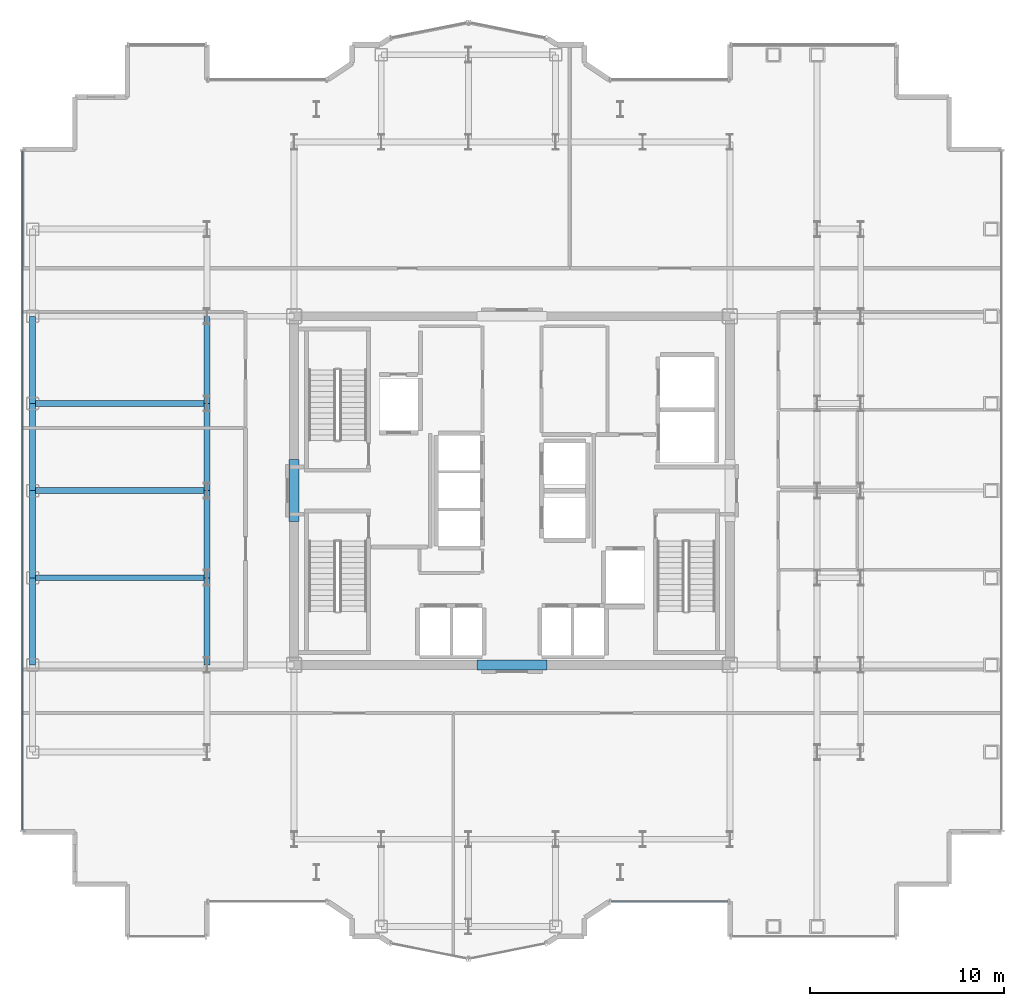
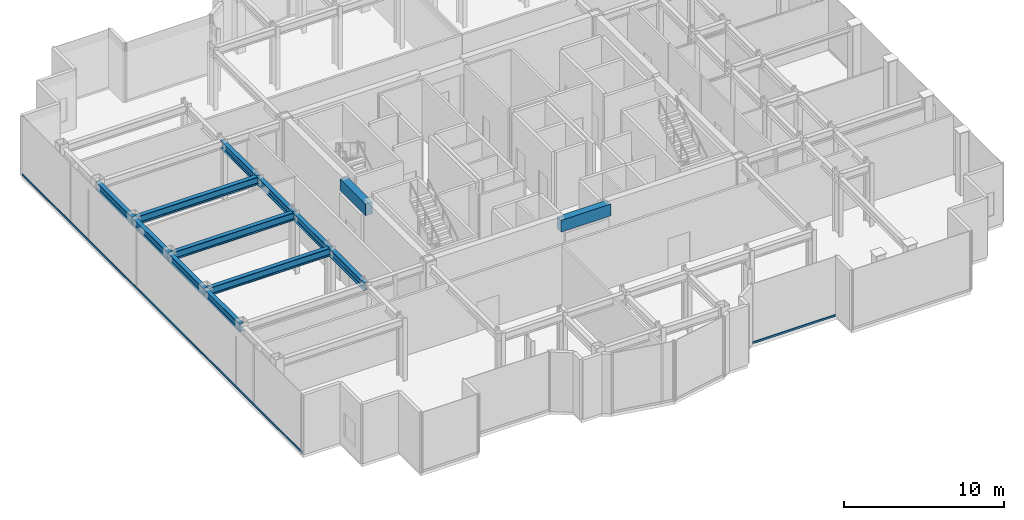
# One storey, part 4 of 20: 13 beams, 2 members, 2 elements without a shape of their own.
"""IFC4 building model written with IfcOpenShell, lengths in metres."""

from ifc_helpers import new_model, si_unit, direction, frame, origin, origin_2d, place, context, subcontext, project, spatial, rectangle, hollow_rectangle, i_section, extrude, source, transform, mapped, material, layer, layer_set, material_profile, profile_set, type_object, element, aggregate, save


model = new_model("IFC4")

# Units and contexts
model_context = context("Model", 3, precision=1e-05, world=origin(), true_north=direction((0.0, 1.0)))
body_context = subcontext(model_context, "Body", "Model", "MODEL_VIEW")
ifc_project = project(units=[si_unit("LENGTHUNIT", "METRE"), si_unit("AREAUNIT", "SQUARE_METRE"), si_unit("VOLUMEUNIT", "CUBIC_METRE"), si_unit("PLANEANGLEUNIT", "RADIAN"), si_unit("MASSUNIT", "GRAM", prefix="KILO")], contexts=[model_context])

# Site, building, storey
site_placement = place(None, origin())
site = spatial("IfcSite", under=ifc_project, at=site_placement, CompositionType="ELEMENT")
building_placement = place(site_placement, origin())
building = spatial("IfcBuilding", under=site, at=building_placement, Name="Nefas-Gora Pilgrimage Tower", CompositionType="ELEMENT")
storey_placement = place(building_placement, frame((0.0, 0.0, 259.800048828125)))
storey = spatial("IfcBuildingStorey", under=building, at=storey_placement, Name="L65", CompositionType="ELEMENT", Elevation=259.800048828125)

# Beams
ifc_material_1 = material(Name="Concrete C50/60", Category="concrete")
ifc_material_profile_1 = material_profile(ifc_material_1, rectangle(XDim=0.5, YDim=0.89990234375, at=origin_2d()), Name="RC 500x900")
ifc_profile_set_1 = profile_set([ifc_material_profile_1], Name="Concrete C50/60")
beam_type_1 = type_object("IfcBeamType", Name="BM-LIN-RC900", PredefinedType="LINTEL", material=ifc_profile_set_1)
shared_shape_1 = source(origin(), body_context, "Body", "SweptSolid", [
    extrude(rectangle(XDim=0.5, YDim=0.89990234375, at=origin_2d()), origin(), (0.0, 0.0, 1.0), 3.60009765625),
])
beam_1_placement = place(storey_placement, frame((-1.800048828125, -9.0, 4.099853515625), z_axis=(1.0, 0.0, 0.0), x_axis=(0.0, 1.0, 0.0)))
element("IfcBeam", 1, at=beam_1_placement, inside=storey, type_object=beam_type_1, Name="L65 Core Coupling Lintel Beam S", PredefinedType="LINTEL", context=body_context, shape_type="MappedRepresentation", body=[
    mapped(shared_shape_1, transform((0.0, 0.0, 0.0), x_axis=(1.0, 0.0, 0.0), y_axis=(0.0, 1.0, 0.0), z_axis=(0.0, 0.0, 1.0), scale=1.0)),
])
shared_shape_2 = source(origin(), body_context, "Body", "SweptSolid", [
    extrude(rectangle(XDim=0.5, YDim=0.89990234375, at=origin_2d()), origin(), (0.0, 0.0, 1.0), 3.2001953125),
])
beam_2_placement = place(storey_placement, frame((-11.25, -1.60009765625, 4.099853515625), z_axis=(0.0, 1.0, 0.0), x_axis=(-1.0, 0.0, 0.0)))
element("IfcBeam", 2, at=beam_2_placement, inside=storey, type_object=beam_type_1, Name="L65 Core Coupling Lintel Beam W", PredefinedType="LINTEL", context=body_context, shape_type="MappedRepresentation", body=[
    mapped(shared_shape_2, transform((0.0, 0.0, 0.0), x_axis=(1.0, 0.0, 0.0), y_axis=(0.0, 1.0, 0.0), z_axis=(0.0, 0.0, 1.0), scale=1.0)),
])
ifc_material_2 = material(Name="Steel S355", Category="steel")
ifc_material_profile_2 = material_profile(ifc_material_2, i_section(OverallWidth=0.300048828125, OverallDepth=0.60009765625, WebThickness=0.015380859375, FlangeThickness=0.030029296875, FilletRadius=0.027099609375, at=origin_2d()), Name="HEB 600")
ifc_profile_set_2 = profile_set([ifc_material_profile_2], Name="Steel S355")
beam_type_2 = type_object("IfcBeamType", Name="BM-SPN-HEB450", PredefinedType="SPANDREL", material=ifc_profile_set_2)
shared_shape_3 = source(origin(), body_context, "Body", "SweptSolid", [
    extrude(i_section(OverallWidth=0.300048828125, OverallDepth=0.60009765625, WebThickness=0.015380859375, FlangeThickness=0.030029296875, FilletRadius=0.027099609375, at=origin_2d()), origin(), (0.0, 0.0, 1.0), 4.5),
])
for number, where, z_axis, x_axis, name in (
    (3, (-24.75, -9.0, 4.25), (0.0, 1.0, 0.0), (-1.0, 0.0, 0.0), "L65 SP-03 beam"),
    (4, (-24.75, -4.5, 4.25), (0.0, 1.0, 0.0), (-1.0, 0.0, 0.0), "L65 SP-03 beam"),
    (5, (-24.75, 0.0, 4.25), (0.0, 1.0, 0.0), (-1.0, 0.0, 0.0), "L65 SP-03 beam"),
    (6, (-24.75, 4.5, 4.25), (0.0, 1.0, 0.0), (-1.0, 0.0, 0.0), "L65 SP-03 beam"),
):
    element("IfcBeam", number, at=place(storey_placement, frame(where, z_axis=z_axis, x_axis=x_axis)), inside=storey, type_object=beam_type_2, Name=name, PredefinedType="SPANDREL", context=body_context, shape_type="MappedRepresentation", body=[
        mapped(shared_shape_3, transform((0.0, 0.0, 0.0), x_axis=(1.0, 0.0, 0.0), y_axis=(0.0, 1.0, 0.0), z_axis=(0.0, 0.0, 1.0), scale=1.0)),
    ])
ifc_material_profile_3 = material_profile(ifc_material_2, i_section(OverallWidth=0.300048828125, OverallDepth=0.60009765625, WebThickness=0.015380859375, FlangeThickness=0.030029296875, FilletRadius=0.027099609375, at=origin_2d()), Name="HEB 600")
ifc_profile_set_3 = profile_set([ifc_material_profile_3], Name="Steel S355")
beam_type_3 = type_object("IfcBeamType", Name="BM-GIR-HEB600", PredefinedType="BEAM", material=ifc_profile_set_3)
shared_shape_4 = source(origin(), body_context, "Body", "SweptSolid", [
    extrude(i_section(OverallWidth=0.300048828125, OverallDepth=0.60009765625, WebThickness=0.015380859375, FlangeThickness=0.030029296875, FilletRadius=0.027099609375, at=origin_2d()), origin(), (0.0, 0.0, 1.0), 9.0),
])
for number, where, z_axis, x_axis, name in (
    (7, (-24.75, -4.5, 4.25), (1.0, 0.0, 0.0), (0.0, 1.0, 0.0), "L65 G-04 beam"),
    (8, (-24.75, 0.0, 4.25), (1.0, 0.0, 0.0), (0.0, 1.0, 0.0), "L65 G-04 beam"),
    (9, (-24.75, 4.5, 4.25), (1.0, 0.0, 0.0), (0.0, 1.0, 0.0), "L65 G-04 beam"),
):
    element("IfcBeam", number, at=place(storey_placement, frame(where, z_axis=z_axis, x_axis=x_axis)), inside=storey, type_object=beam_type_3, Name=name, PredefinedType="BEAM", context=body_context, shape_type="MappedRepresentation", body=[
        mapped(shared_shape_4, transform((0.0, 0.0, 0.0), x_axis=(1.0, 0.0, 0.0), y_axis=(0.0, 1.0, 0.0), z_axis=(0.0, 0.0, 1.0), scale=1.0)),
    ])
shared_shape_5 = source(origin(), body_context, "Body", "SweptSolid", [
    extrude(i_section(OverallWidth=0.300048828125, OverallDepth=0.60009765625, WebThickness=0.015380859375, FlangeThickness=0.030029296875, FilletRadius=0.027099609375, at=origin_2d()), origin(), (0.0, 0.0, 1.0), 4.5),
])
for number, where, z_axis, x_axis, name in (
    (10, (-15.75, -9.0, 4.25), (0.0, 1.0, 0.0), (-1.0, 0.0, 0.0), "L65 G-04 beam"),
    (11, (-15.75, -4.5, 4.25), (0.0, 1.0, 0.0), (-1.0, 0.0, 0.0), "L65 G-04 beam"),
    (12, (-15.75, 0.0, 4.25), (0.0, 1.0, 0.0), (-1.0, 0.0, 0.0), "L65 G-04 beam"),
    (13, (-15.75, 4.5, 4.25), (0.0, 1.0, 0.0), (-1.0, 0.0, 0.0), "L65 G-04 beam"),
):
    element("IfcBeam", number, at=place(storey_placement, frame(where, z_axis=z_axis, x_axis=x_axis)), inside=storey, type_object=beam_type_3, Name=name, PredefinedType="BEAM", context=body_context, shape_type="MappedRepresentation", body=[
        mapped(shared_shape_5, transform((0.0, 0.0, 0.0), x_axis=(1.0, 0.0, 0.0), y_axis=(0.0, 1.0, 0.0), z_axis=(0.0, 0.0, 1.0), scale=1.0)),
    ])

# Curtain wall, member
ifc_material_3 = material(Name="Dark ceramic-fritted solar-control aluminium-glass curtain wall", Category="aluminium")
ifc_layer_1 = layer(ifc_material_3, 0.219970703125)
ifc_layer_set_1 = layer_set([ifc_layer_1], Name="Dark ceramic-fritted solar-control aluminium-glass curtain wall")
curtain_wall_type_1 = type_object("IfcCurtainWallType", Name="CW-SYS-5", PredefinedType="NOTDEFINED", material=ifc_layer_set_1)
curtain_wall_1_placement = place(storey_placement, origin())
curtain_wall_1 = element("IfcCurtainWall", 14, at=curtain_wall_1_placement, inside=storey, type_object=curtain_wall_type_1, Name="L65 Unitised Curtain Wall CW5", PredefinedType="NOTDEFINED")
ifc_material_4 = material(Name="Anodised architectural aluminium", Category="aluminium")
ifc_material_profile_4 = material_profile(ifc_material_4, hollow_rectangle(XDim=0.080078125, YDim=0.159912109375, WallThickness=0.00439453125, InnerFilletRadius=0.00439453125, OuterFilletRadius=0.009033203125, at=origin_2d()), Name="ALU TRANSOM 80x160")
ifc_profile_set_4 = profile_set([ifc_material_profile_4], Name="Anodised architectural aluminium")
member_type_1 = type_object("IfcMemberType", Name="CWM-TRN-5", PredefinedType="USERDEFINED", material=ifc_profile_set_4)
shared_shape_6 = source(origin(), body_context, "Body", "SweptSolid", [
    extrude(hollow_rectangle(XDim=0.080078125, YDim=0.159912109375, WallThickness=0.00439453125, InnerFilletRadius=0.00439453125, OuterFilletRadius=0.009033203125, at=origin_2d()), origin(), (0.0, 0.0, 1.0), 6.052001953125),
])
member_1_placement = place(storey_placement, frame((5.10791015625, -21.219970703125, 0.050048828125), z_axis=(1.0, 0.0, 0.0), x_axis=(0.0, 1.0, 0.0)))
member_1 = element("IfcMember", 15, at=member_1_placement, type_object=member_type_1, Name="CW5 Spandrel Transom", ObjectType="TRANSOM", PredefinedType="USERDEFINED", context=body_context, shape_type="MappedRepresentation", body=[
    mapped(shared_shape_6, transform((0.0, 0.0, 0.0), x_axis=(1.0, 0.0, 0.0), y_axis=(0.0, 1.0, 0.0), z_axis=(0.0, 0.0, 1.0), scale=1.0)),
])
aggregate(curtain_wall_1, [member_1])

ifc_layer_2 = layer(ifc_material_3, 0.219970703125)
ifc_layer_set_2 = layer_set([ifc_layer_2], Name="Dark ceramic-fritted solar-control aluminium-glass curtain wall")
curtain_wall_type_2 = type_object("IfcCurtainWallType", Name="CW-SYS-3", PredefinedType="NOTDEFINED", material=ifc_layer_set_2)
curtain_wall_2_placement = place(storey_placement, origin())
curtain_wall_2 = element("IfcCurtainWall", 16, at=curtain_wall_2_placement, inside=storey, type_object=curtain_wall_type_2, Name="L65 Unitised Curtain Wall CW3", PredefinedType="NOTDEFINED")
ifc_material_profile_5 = material_profile(ifc_material_4, hollow_rectangle(XDim=0.080078125, YDim=0.159912109375, WallThickness=0.00439453125, InnerFilletRadius=0.00439453125, OuterFilletRadius=0.009033203125, at=origin_2d()), Name="ALU TRANSOM 80x160")
ifc_profile_set_5 = profile_set([ifc_material_profile_5], Name="Anodised architectural aluminium")
member_type_2 = type_object("IfcMemberType", Name="CWM-TRN-3", PredefinedType="USERDEFINED", material=ifc_profile_set_5)
shared_shape_7 = source(origin(), body_context, "Body", "SweptSolid", [
    extrude(hollow_rectangle(XDim=0.080078125, YDim=0.159912109375, WallThickness=0.00439453125, InnerFilletRadius=0.00439453125, OuterFilletRadius=0.009033203125, at=origin_2d()), origin(), (0.0, 0.0, 1.0), 35.06005859375),
])
member_2_placement = place(storey_placement, frame((-25.27001953125, 17.530029296875, 0.050048828125), z_axis=(0.0, -1.0, 0.0), x_axis=(1.0, 0.0, 0.0)))
member_2 = element("IfcMember", 17, at=member_2_placement, type_object=member_type_2, Name="CW3 Spandrel Transom", ObjectType="TRANSOM", PredefinedType="USERDEFINED", context=body_context, shape_type="MappedRepresentation", body=[
    mapped(shared_shape_7, transform((0.0, 0.0, 0.0), x_axis=(1.0, 0.0, 0.0), y_axis=(0.0, 1.0, 0.0), z_axis=(0.0, 0.0, 1.0), scale=1.0)),
])
aggregate(curtain_wall_2, [member_2])

save(model, "model.ifc")
